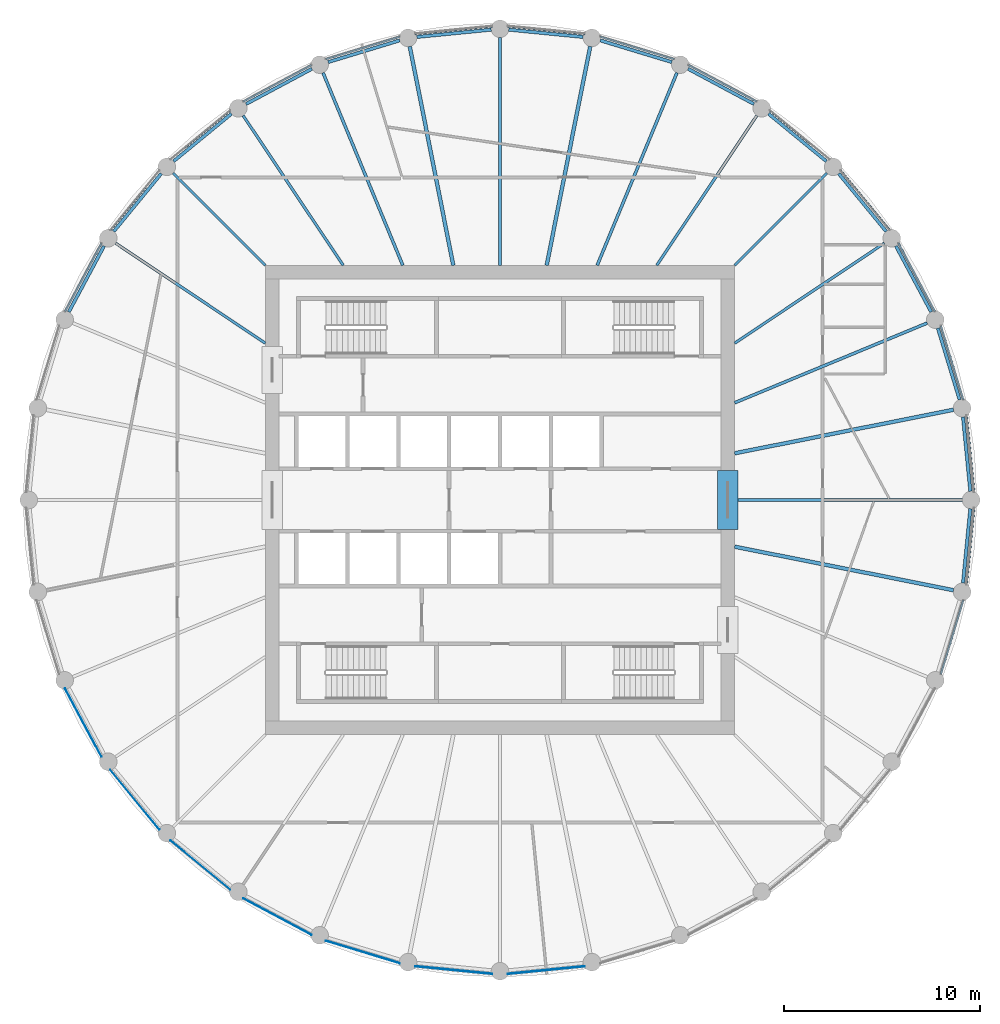
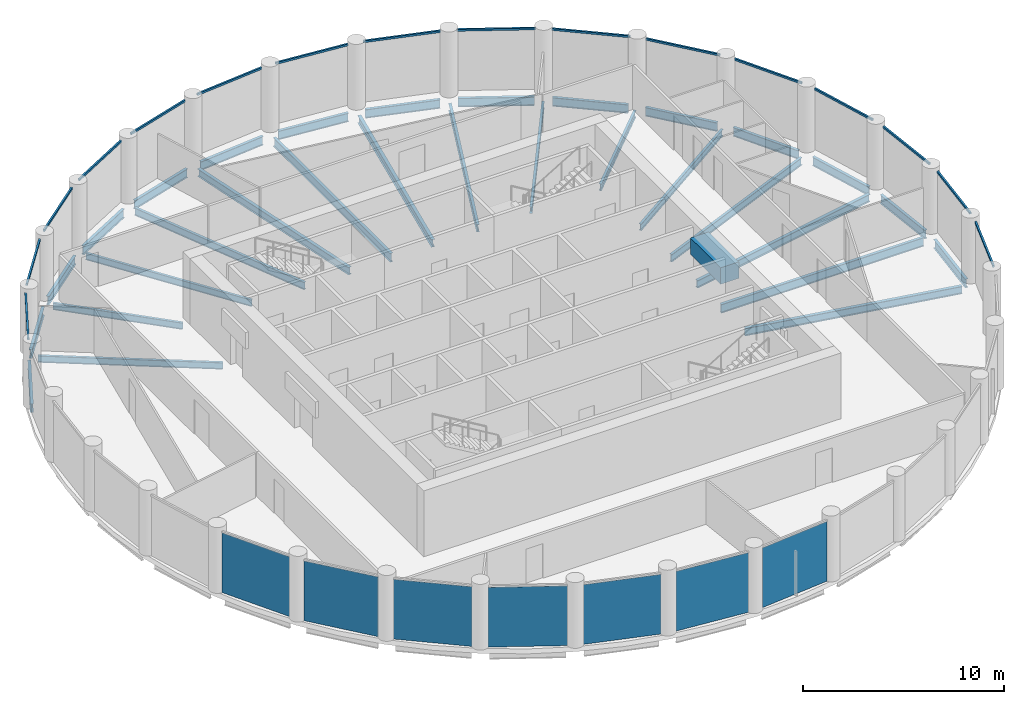
# One storey, part 2 of 7: 31 beams, 16 members, 7 plates, 23 elements without a shape of their own.
"""IFC4 building model written with IfcOpenShell, lengths in metres."""

from ifc_helpers import new_model, si_unit, direction, frame, origin, origin_2d, place, context, subcontext, project, spatial, rectangle, i_section, extrude, material, layer, layer_set, material_profile, profile_set, type_object, element, aggregate, save


model = new_model("IFC4")

# Units and contexts
model_context = context("Model", 3, precision=1e-05, world=origin(), true_north=direction((0.0, 1.0)))
body_context = subcontext(model_context, "Body", "Model", "MODEL_VIEW")
ifc_project = project(units=[si_unit("LENGTHUNIT", "METRE"), si_unit("AREAUNIT", "SQUARE_METRE"), si_unit("VOLUMEUNIT", "CUBIC_METRE"), si_unit("PLANEANGLEUNIT", "RADIAN"), si_unit("MASSUNIT", "GRAM", prefix="KILO")], contexts=[model_context])

# Site, building, storey
site_placement = place(None, origin())
site = spatial("IfcSite", under=ifc_project, at=site_placement, CompositionType="ELEMENT")
building_placement = place(site_placement, origin())
building = spatial("IfcBuilding", under=site, at=building_placement, Name="Corvane Civic Tower", CompositionType="ELEMENT")
storey_placement = place(building_placement, frame((0.0, 0.0, 287.0)))
storey = spatial("IfcBuildingStorey", under=building, at=storey_placement, Name="L68", CompositionType="ELEMENT", Elevation=287.0)

# Beams
ifc_material_1 = material(Name="Concrete C40/50", Category="concrete")
ifc_material_profile_1 = material_profile(ifc_material_1, rectangle(XDim=1.050048828125, YDim=1.0, at=origin_2d()), Name="COUPLING BEAM 1050X1000")
ifc_profile_set_1 = profile_set([ifc_material_profile_1], Name="Concrete C40/50")
beam_type_1 = type_object("IfcBeamType", Name="COUPLING BEAM COUPLING BEAM 1050X1000", PredefinedType="BEAM", material=ifc_profile_set_1)
beam_1_placement = place(storey_placement, frame((11.64990234375, -1.5, 2.60009765625), z_axis=(0.0, 1.0, 0.0), x_axis=(-1.0, 0.0, 0.0)))
element("IfcBeam", 1, at=beam_1_placement, inside=storey, type_object=beam_type_1, Name="BM-L68-cpl-CW-LE", PredefinedType="BEAM", context=body_context, shape_type="SweptSolid", body=[
    extrude(rectangle(XDim=1.050048828125, YDim=1.0, at=origin_2d()), origin(), (0.0, 0.0, 1.0), 3.0),
])
ifc_material_2 = material(Name="Steel ASTM A992 Gr 50", Category="steel")
ifc_material_profile_2 = material_profile(ifc_material_2, i_section(OverallWidth=0.165771484375, OverallDepth=0.5283203125, WebThickness=0.009765625, FlangeThickness=0.013671875, at=origin_2d()), Name="W21X50")
ifc_profile_set_2 = profile_set([ifc_material_profile_2], Name="Steel ASTM A992 Gr 50")
beam_type_2 = type_object("IfcBeamType", Name="EDGE BEAM W21X50", PredefinedType="BEAM", material=ifc_profile_set_2)
for number, where, z_axis, x_axis, name in (
    (2, (0.44775390625, 24.055908203125, -0.564208984375), (0.995187721162, -0.097986732007, 0.0), (0.097986732007, 0.995187721162, 0.0), "BM-L68-E01"),
    (3, (5.13232421875, 23.50634765625, -0.564208984375), (0.95692555902, -0.290333385085, 0.0), (0.290333385085, 0.95692555902, 0.0), "BM-L68-E02"),
):
    element("IfcBeam", number, at=place(storey_placement, frame(where, z_axis=z_axis, x_axis=x_axis)), inside=storey, type_object=beam_type_2, Name=name, PredefinedType="BEAM", context=body_context, shape_type="SweptSolid", body=[
        extrude(i_section(OverallWidth=0.165771484375, OverallDepth=0.5283203125, WebThickness=0.009765625, FlangeThickness=0.013671875, at=origin_2d()), origin(), (0.0, 0.0, 1.0), 3.824462890625),
    ])
beam_2_placement = place(storey_placement, frame((9.61962890625, 22.05322265625, -0.564208984375), z_axis=(0.881914279413, -0.471409804487, 0.0), x_axis=(0.471409804487, 0.881914279413, 0.0)))
element("IfcBeam", 4, at=beam_2_placement, inside=storey, type_object=beam_type_2, Name="BM-L68-E03", PredefinedType="BEAM", context=body_context, shape_type="SweptSolid", body=[
    extrude(i_section(OverallWidth=0.165771484375, OverallDepth=0.5283203125, WebThickness=0.009765625, FlangeThickness=0.013671875, at=origin_2d()), origin(), (0.0, 0.0, 1.0), 3.82421875),
])
for number, where, z_axis, x_axis, name in (
    (5, (13.737060546875, 19.7529296875, -0.564208984375), (0.772997914867, -0.634408562057, 0.0), (0.634408562057, 0.772997914867, 0.0), "BM-L68-E04"),
    (6, (17.32666015625, 16.693359375, -0.564208984375), (0.634408562057, -0.772997914867, 0.0), (0.772997914867, 0.634408562057, 0.0), "BM-L68-E05"),
):
    element("IfcBeam", number, at=place(storey_placement, frame(where, z_axis=z_axis, x_axis=x_axis)), inside=storey, type_object=beam_type_2, Name=name, PredefinedType="BEAM", context=body_context, shape_type="SweptSolid", body=[
        extrude(i_section(OverallWidth=0.165771484375, OverallDepth=0.5283203125, WebThickness=0.009765625, FlangeThickness=0.013671875, at=origin_2d()), origin(), (0.0, 0.0, 1.0), 3.824462890625),
    ])
beam_3_placement = place(storey_placement, frame((20.25048828125, 12.9921875, -0.564208984375), z_axis=(0.471409804487, -0.881914279413, 0.0), x_axis=(0.881914279413, 0.471409804487, 0.0)))
element("IfcBeam", 7, at=beam_3_placement, inside=storey, type_object=beam_type_2, Name="BM-L68-E06", PredefinedType="BEAM", context=body_context, shape_type="SweptSolid", body=[
    extrude(i_section(OverallWidth=0.165771484375, OverallDepth=0.5283203125, WebThickness=0.009765625, FlangeThickness=0.013671875, at=origin_2d()), origin(), (0.0, 0.0, 1.0), 3.82421875),
])
for number, where, z_axis, x_axis, name in (
    (8, (22.39599609375, 8.7919921875, -0.564208984375), (0.290333385085, -0.95692555902, 0.0), (0.95692555902, 0.290333385085, 0.0), "BM-L68-E07"),
    (9, (23.68115234375, 4.25390625, -0.564208984375), (0.097986732007, -0.995187721162, 0.0), (0.995187721162, 0.097986732007, 0.0), "BM-L68-E08"),
    (10, (24.055908203125, -0.44775390625, -0.564208984375), (-0.097986732007, -0.995187721162, 0.0), (0.995187721162, -0.097986732007, 0.0), "BM-L68-E09"),
):
    element("IfcBeam", number, at=place(storey_placement, frame(where, z_axis=z_axis, x_axis=x_axis)), inside=storey, type_object=beam_type_2, Name=name, PredefinedType="BEAM", context=body_context, shape_type="SweptSolid", body=[
        extrude(i_section(OverallWidth=0.165771484375, OverallDepth=0.5283203125, WebThickness=0.009765625, FlangeThickness=0.013671875, at=origin_2d()), origin(), (0.0, 0.0, 1.0), 3.824462890625),
    ])
beam_4_placement = place(storey_placement, frame((-22.05322265625, 9.61962890625, -0.564208984375), z_axis=(0.471409804487, 0.881914279413, 0.0), x_axis=(-0.881914279413, 0.471409804487, 0.0)))
element("IfcBeam", 11, at=beam_4_placement, inside=storey, type_object=beam_type_2, Name="BM-L68-E27", PredefinedType="BEAM", context=body_context, shape_type="SweptSolid", body=[
    extrude(i_section(OverallWidth=0.165771484375, OverallDepth=0.5283203125, WebThickness=0.009765625, FlangeThickness=0.013671875, at=origin_2d()), origin(), (0.0, 0.0, 1.0), 3.82421875),
])
for number, where, z_axis, x_axis, name in (
    (12, (-19.7529296875, 13.737060546875, -0.564208984375), (0.634408562057, 0.772997914867, 0.0), (-0.772997914867, 0.634408562057, 0.0), "BM-L68-E28"),
    (13, (-16.693359375, 17.32666015625, -0.564208984375), (0.772997914867, 0.634408562057, 0.0), (-0.634408562057, 0.772997914867, 0.0), "BM-L68-E29"),
):
    element("IfcBeam", number, at=place(storey_placement, frame(where, z_axis=z_axis, x_axis=x_axis)), inside=storey, type_object=beam_type_2, Name=name, PredefinedType="BEAM", context=body_context, shape_type="SweptSolid", body=[
        extrude(i_section(OverallWidth=0.165771484375, OverallDepth=0.5283203125, WebThickness=0.009765625, FlangeThickness=0.013671875, at=origin_2d()), origin(), (0.0, 0.0, 1.0), 3.824462890625),
    ])
beam_5_placement = place(storey_placement, frame((-12.9921875, 20.25048828125, -0.564208984375), z_axis=(0.881914279413, 0.471409804487, 0.0), x_axis=(-0.471409804487, 0.881914279413, 0.0)))
element("IfcBeam", 14, at=beam_5_placement, inside=storey, type_object=beam_type_2, Name="BM-L68-E30", PredefinedType="BEAM", context=body_context, shape_type="SweptSolid", body=[
    extrude(i_section(OverallWidth=0.165771484375, OverallDepth=0.5283203125, WebThickness=0.009765625, FlangeThickness=0.013671875, at=origin_2d()), origin(), (0.0, 0.0, 1.0), 3.82421875),
])
for number, where, z_axis, x_axis, name in (
    (15, (-8.7919921875, 22.39599609375, -0.564208984375), (0.95692555902, 0.290333385085, 0.0), (-0.290333385085, 0.95692555902, 0.0), "BM-L68-E31"),
    (16, (-4.25390625, 23.68115234375, -0.564208984375), (0.995187721162, 0.097986732007, 0.0), (-0.097986732007, 0.995187721162, 0.0), "BM-L68-E32"),
):
    element("IfcBeam", number, at=place(storey_placement, frame(where, z_axis=z_axis, x_axis=x_axis)), inside=storey, type_object=beam_type_2, Name=name, PredefinedType="BEAM", context=body_context, shape_type="SweptSolid", body=[
        extrude(i_section(OverallWidth=0.165771484375, OverallDepth=0.5283203125, WebThickness=0.009765625, FlangeThickness=0.013671875, at=origin_2d()), origin(), (0.0, 0.0, 1.0), 3.824462890625),
    ])
ifc_material_3 = material(Name="Steel ASTM A992 Gr 50", Category="steel")
ifc_material_profile_3 = material_profile(ifc_material_3, i_section(OverallWidth=0.140380859375, OverallDepth=0.40380859375, WebThickness=0.007080078125, FlangeThickness=0.01123046875, at=origin_2d()), Name="W16X31")
ifc_profile_set_3 = profile_set([ifc_material_profile_3], Name="Steel ASTM A992 Gr 50")
beam_type_3 = type_object("IfcBeamType", Name="FLOOR GIRDER W16X31", PredefinedType="BEAM", material=ifc_profile_set_3)
beam_6_placement = place(storey_placement, frame((8.01806640625, 12.0, -0.501953125), z_axis=(0.555567816355, 0.831471227061, 0.0), x_axis=(-0.831471227061, 0.555567816355, 0.0)))
element("IfcBeam", 17, at=beam_6_placement, inside=storey, type_object=beam_type_3, Name="BM-L68-G04", PredefinedType="BEAM", context=body_context, shape_type="SweptSolid", body=[
    extrude(i_section(OverallWidth=0.140380859375, OverallDepth=0.40380859375, WebThickness=0.007080078125, FlangeThickness=0.01123046875, at=origin_2d()), origin(), (0.0, 0.0, 1.0), 9.2177734375),
])
beam_7_placement = place(storey_placement, frame((12.0, 12.0, -0.501953125), z_axis=(0.707106781187, 0.707106781187, 0.0), x_axis=(-0.707106781187, 0.707106781187, 0.0)))
element("IfcBeam", 18, at=beam_7_placement, inside=storey, type_object=beam_type_3, Name="BM-L68-G05", PredefinedType="BEAM", context=body_context, shape_type="SweptSolid", body=[
    extrude(i_section(OverallWidth=0.140380859375, OverallDepth=0.40380859375, WebThickness=0.007080078125, FlangeThickness=0.01123046875, at=origin_2d()), origin(), (0.0, 0.0, 1.0), 6.679443359375),
])
for number, where, z_axis, x_axis, name in (
    (19, (12.0, 8.01806640625, -0.501953125), (0.831471227061, 0.555567816355, 0.0), (-0.555567816355, 0.831471227061, 0.0), "BM-L68-G06"),
    (20, (-12.0, 8.01806640625, -0.501953125), (-0.831471227061, 0.555567816355, 0.0), (-0.555567816355, -0.831471227061, 0.0), "BM-L68-G28"),
):
    element("IfcBeam", number, at=place(storey_placement, frame(where, z_axis=z_axis, x_axis=x_axis)), inside=storey, type_object=beam_type_3, Name=name, PredefinedType="BEAM", context=body_context, shape_type="SweptSolid", body=[
        extrude(i_section(OverallWidth=0.140380859375, OverallDepth=0.40380859375, WebThickness=0.007080078125, FlangeThickness=0.01123046875, at=origin_2d()), origin(), (0.0, 0.0, 1.0), 9.2177734375),
    ])
beam_8_placement = place(storey_placement, frame((-12.0, 12.0, -0.501953125), z_axis=(-0.707106781187, 0.707106781187, 0.0), x_axis=(-0.707106781187, -0.707106781187, 0.0)))
element("IfcBeam", 21, at=beam_8_placement, inside=storey, type_object=beam_type_3, Name="BM-L68-G29", PredefinedType="BEAM", context=body_context, shape_type="SweptSolid", body=[
    extrude(i_section(OverallWidth=0.140380859375, OverallDepth=0.40380859375, WebThickness=0.007080078125, FlangeThickness=0.01123046875, at=origin_2d()), origin(), (0.0, 0.0, 1.0), 6.679443359375),
])
beam_9_placement = place(storey_placement, frame((-8.01806640625, 12.0, -0.501953125), z_axis=(-0.555567816355, 0.831471227061, 0.0), x_axis=(-0.831471227061, -0.555567816355, 0.0)))
element("IfcBeam", 22, at=beam_9_placement, inside=storey, type_object=beam_type_3, Name="BM-L68-G30", PredefinedType="BEAM", context=body_context, shape_type="SweptSolid", body=[
    extrude(i_section(OverallWidth=0.140380859375, OverallDepth=0.40380859375, WebThickness=0.007080078125, FlangeThickness=0.01123046875, at=origin_2d()), origin(), (0.0, 0.0, 1.0), 9.2177734375),
])
ifc_material_4 = material(Name="Steel ASTM A992 Gr 50", Category="steel")
ifc_material_profile_4 = material_profile(ifc_material_4, i_section(OverallWidth=0.15283203125, OverallDepth=0.45458984375, WebThickness=0.008056640625, FlangeThickness=0.013427734375, at=origin_2d()), Name="W18X40")
ifc_profile_set_4 = profile_set([ifc_material_profile_4], Name="Steel ASTM A992 Gr 50")
beam_type_4 = type_object("IfcBeamType", Name="FLOOR GIRDER W18X40", PredefinedType="BEAM", material=ifc_profile_set_4)
for number, where, z_axis, x_axis, name in (
    (23, (4.970458984375, 12.0, -0.52734375), (0.382694257331, 0.923875048589, 0.0), (-0.923875048589, 0.382694257331, 0.0), "BM-L68-G03"),
    (24, (12.0, 4.970458984375, -0.52734375), (0.923875048589, 0.382694257331, 0.0), (-0.382694257331, 0.923875048589, 0.0), "BM-L68-G07"),
    (25, (-4.970458984375, 12.0, -0.52734375), (-0.382694257331, 0.923875048589, 0.0), (-0.923875048589, -0.382694257331, 0.0), "BM-L68-G31"),
):
    element("IfcBeam", number, at=place(storey_placement, frame(where, z_axis=z_axis, x_axis=x_axis)), inside=storey, type_object=beam_type_4, Name=name, PredefinedType="BEAM", context=body_context, shape_type="SweptSolid", body=[
        extrude(i_section(OverallWidth=0.15283203125, OverallDepth=0.45458984375, WebThickness=0.008056640625, FlangeThickness=0.013427734375, at=origin_2d()), origin(), (0.0, 0.0, 1.0), 10.661376953125),
    ])
ifc_material_5 = material(Name="Steel ASTM A992 Gr 50", Category="steel")
ifc_material_profile_5 = material_profile(ifc_material_5, i_section(OverallWidth=0.1904296875, OverallDepth=0.457275390625, WebThickness=0.009033203125, FlangeThickness=0.014404296875, at=origin_2d()), Name="W18X50")
ifc_profile_set_5 = profile_set([ifc_material_profile_5], Name="Steel ASTM A992 Gr 50")
beam_type_5 = type_object("IfcBeamType", Name="FLOOR GIRDER W18X50", PredefinedType="BEAM", material=ifc_profile_set_5)
for number, where, z_axis, x_axis, name in (
    (26, (2.386962890625, 12.0, -0.528564453125), (0.195079532402, 0.980787426529, 0.0), (-0.980787426529, 0.195079532402, 0.0), "BM-L68-G02"),
    (27, (12.0, 2.386962890625, -0.528564453125), (0.980787426529, 0.195079532402, 0.0), (-0.195079532402, 0.980787426529, 0.0), "BM-L68-G08"),
    (28, (12.0, -2.386962890625, -0.528564453125), (0.980787426529, -0.195079532402, 0.0), (0.195079532402, 0.980787426529, 0.0), "BM-L68-G10"),
    (29, (-2.386962890625, 12.0, -0.528564453125), (-0.195079532402, 0.980787426529, 0.0), (-0.980787426529, -0.195079532402, 0.0), "BM-L68-G32"),
):
    element("IfcBeam", number, at=place(storey_placement, frame(where, z_axis=z_axis, x_axis=x_axis)), inside=storey, type_object=beam_type_5, Name=name, PredefinedType="BEAM", context=body_context, shape_type="SweptSolid", body=[
        extrude(i_section(OverallWidth=0.1904296875, OverallDepth=0.457275390625, WebThickness=0.009033203125, FlangeThickness=0.014404296875, at=origin_2d()), origin(), (0.0, 0.0, 1.0), 11.414794921875),
    ])
ifc_material_6 = material(Name="Steel ASTM A992 Gr 50", Category="steel")
ifc_material_profile_6 = material_profile(ifc_material_6, i_section(OverallWidth=0.165771484375, OverallDepth=0.5283203125, WebThickness=0.009765625, FlangeThickness=0.013671875, at=origin_2d()), Name="W21X50")
ifc_profile_set_6 = profile_set([ifc_material_profile_6], Name="Steel ASTM A992 Gr 50")
beam_type_6 = type_object("IfcBeamType", Name="FLOOR GIRDER W21X50", PredefinedType="BEAM", material=ifc_profile_set_6)
for number, where, z_axis, x_axis, name in (
    (30, (0.0, 12.0, -0.564208984375), (0.0, 1.0, 0.0), (-1.0, 0.0, 0.0), "BM-L68-G01"),
    (31, (12.0, 0.0, -0.564208984375), (1.0, 0.0, 0.0), (0.0, 1.0, 0.0), "BM-L68-G09"),
):
    element("IfcBeam", number, at=place(storey_placement, frame(where, z_axis=z_axis, x_axis=x_axis)), inside=storey, type_object=beam_type_6, Name=name, PredefinedType="BEAM", context=body_context, shape_type="SweptSolid", body=[
        extrude(i_section(OverallWidth=0.165771484375, OverallDepth=0.5283203125, WebThickness=0.009765625, FlangeThickness=0.013671875, at=origin_2d()), origin(), (0.0, 0.0, 1.0), 11.64990234375),
    ])

# Curtain wall, member
ifc_material_7 = material(Name="Anodised aluminium bronze", Category="aluminium")
curtain_wall_type = type_object("IfcCurtainWallType", Name="TOWER CW-T3 STICK CURTAIN WALL", PredefinedType="NOTDEFINED", material=ifc_material_7)
curtain_wall_1_placement = place(storey_placement, origin())
curtain_wall_1 = element("IfcCurtainWall", 32, at=curtain_wall_1_placement, inside=storey, type_object=curtain_wall_type, Name="Curtain wall CW-T3 L68 bay 01", PredefinedType="NOTDEFINED")
ifc_material_8 = material(Name="Anodised aluminium bronze", Category="aluminium")
ifc_material_profile_7 = material_profile(ifc_material_8, rectangle(XDim=0.10009765625, YDim=0.1201171875, at=origin_2d()), Name="TOWER CW-T3 TRANSOM 100x120")
ifc_profile_set_7 = profile_set([ifc_material_profile_7], Name="Anodised aluminium bronze")
member_type = type_object("IfcMemberType", Name="TOWER CW-T3 TRANSOM 100x120", PredefinedType="USERDEFINED", material=ifc_profile_set_7)
member_1_placement = place(storey_placement, frame((0.3984375, 24.24072265625, 3.68994140625), z_axis=(0.995186866683, -0.097995409999, 0.0), x_axis=(0.097995409999, 0.995186866683, 0.0)))
member_1 = element("IfcMember", 33, at=member_1_placement, type_object=member_type, Name="Transom CW-T3 L68 01.1", ObjectType="TRANSOM", PredefinedType="USERDEFINED", context=body_context, shape_type="SweptSolid", body=[
    extrude(rectangle(XDim=0.10009765625, YDim=0.1201171875, at=origin_2d()), origin(), (0.0, 0.0, 1.0), 3.958740234375),
])
aggregate(curtain_wall_1, [member_1])

curtain_wall_2_placement = place(storey_placement, origin())
curtain_wall_2 = element("IfcCurtainWall", 34, at=curtain_wall_2_placement, inside=storey, type_object=curtain_wall_type, Name="Curtain wall CW-T3 L68 bay 02", PredefinedType="NOTDEFINED")
member_2_placement = place(storey_placement, frame((5.119873046875, 23.697265625, 3.68994140625), z_axis=(0.956946054205, -0.290265825309, 0.0), x_axis=(0.290265825309, 0.956946054205, 0.0)))
member_2 = element("IfcMember", 35, at=member_2_placement, type_object=member_type, Name="Transom CW-T3 L68 02.1", ObjectType="TRANSOM", PredefinedType="USERDEFINED", context=body_context, shape_type="SweptSolid", body=[
    extrude(rectangle(XDim=0.10009765625, YDim=0.1201171875, at=origin_2d()), origin(), (0.0, 0.0, 1.0), 3.958984375),
])
aggregate(curtain_wall_2, [member_2])

curtain_wall_3_placement = place(storey_placement, origin())
curtain_wall_3 = element("IfcCurtainWall", 36, at=curtain_wall_3_placement, inside=storey, type_object=curtain_wall_type, Name="Curtain wall CW-T3 L68 bay 03", PredefinedType="NOTDEFINED")
member_3_placement = place(storey_placement, frame((9.644775390625, 22.2431640625, 3.68994140625), z_axis=(0.881883040816, -0.471468241052, 0.0), x_axis=(0.471468241052, 0.881883040816, 0.0)))
member_3 = element("IfcMember", 37, at=member_3_placement, type_object=member_type, Name="Transom CW-T3 L68 03.1", ObjectType="TRANSOM", PredefinedType="USERDEFINED", context=body_context, shape_type="SweptSolid", body=[
    extrude(rectangle(XDim=0.10009765625, YDim=0.1201171875, at=origin_2d()), origin(), (0.0, 0.0, 1.0), 3.958740234375),
])
aggregate(curtain_wall_3, [member_3])

curtain_wall_4_placement = place(storey_placement, origin())
curtain_wall_4 = element("IfcCurtainWall", 38, at=curtain_wall_4_placement, inside=storey, type_object=curtain_wall_type, Name="Curtain wall CW-T3 L68 bay 04", PredefinedType="NOTDEFINED")
member_4_placement = place(storey_placement, frame((13.798828125, 19.93408203125, 3.68994140625), z_axis=(0.772991943051, -0.634415838373, 0.0), x_axis=(0.634415838373, 0.772991943051, 0.0)))
member_4 = element("IfcMember", 39, at=member_4_placement, type_object=member_type, Name="Transom CW-T3 L68 04.1", ObjectType="TRANSOM", PredefinedType="USERDEFINED", context=body_context, shape_type="SweptSolid", body=[
    extrude(rectangle(XDim=0.10009765625, YDim=0.1201171875, at=origin_2d()), origin(), (0.0, 0.0, 1.0), 3.958740234375),
])
aggregate(curtain_wall_4, [member_4])

curtain_wall_5_placement = place(storey_placement, origin())
curtain_wall_5 = element("IfcCurtainWall", 40, at=curtain_wall_5_placement, inside=storey, type_object=curtain_wall_type, Name="Curtain wall CW-T3 L68 bay 05", PredefinedType="NOTDEFINED")
member_5_placement = place(storey_placement, frame((17.422607421875, 16.85888671875, 3.68994140625), z_axis=(0.634415838373, -0.772991943051, 0.0), x_axis=(0.772991943051, 0.634415838373, 0.0)))
member_5 = element("IfcMember", 41, at=member_5_placement, type_object=member_type, Name="Transom CW-T3 L68 05.1", ObjectType="TRANSOM", PredefinedType="USERDEFINED", context=body_context, shape_type="SweptSolid", body=[
    extrude(rectangle(XDim=0.10009765625, YDim=0.1201171875, at=origin_2d()), origin(), (0.0, 0.0, 1.0), 3.958740234375),
])
aggregate(curtain_wall_5, [member_5])

curtain_wall_6_placement = place(storey_placement, origin())
curtain_wall_6 = element("IfcCurtainWall", 42, at=curtain_wall_6_placement, inside=storey, type_object=curtain_wall_type, Name="Curtain wall CW-T3 L68 bay 06", PredefinedType="NOTDEFINED")
member_6_placement = place(storey_placement, frame((20.376708984375, 13.135986328125, 3.68994140625), z_axis=(0.471468241052, -0.881883040816, 0.0), x_axis=(0.881883040816, 0.471468241052, 0.0)))
member_6 = element("IfcMember", 43, at=member_6_placement, type_object=member_type, Name="Transom CW-T3 L68 06.1", ObjectType="TRANSOM", PredefinedType="USERDEFINED", context=body_context, shape_type="SweptSolid", body=[
    extrude(rectangle(XDim=0.10009765625, YDim=0.1201171875, at=origin_2d()), origin(), (0.0, 0.0, 1.0), 3.958740234375),
])
aggregate(curtain_wall_6, [member_6])

curtain_wall_7_placement = place(storey_placement, origin())
curtain_wall_7 = element("IfcCurtainWall", 44, at=curtain_wall_7_placement, inside=storey, type_object=curtain_wall_type, Name="Curtain wall CW-T3 L68 bay 07", PredefinedType="NOTDEFINED")
member_7_placement = place(storey_placement, frame((22.548095703125, 8.908447265625, 3.68994140625), z_axis=(0.290265825309, -0.956946054205, 0.0), x_axis=(0.956946054205, 0.290265825309, 0.0)))
member_7 = element("IfcMember", 45, at=member_7_placement, type_object=member_type, Name="Transom CW-T3 L68 07.1", ObjectType="TRANSOM", PredefinedType="USERDEFINED", context=body_context, shape_type="SweptSolid", body=[
    extrude(rectangle(XDim=0.10009765625, YDim=0.1201171875, at=origin_2d()), origin(), (0.0, 0.0, 1.0), 3.958984375),
])
aggregate(curtain_wall_7, [member_7])

curtain_wall_8_placement = place(storey_placement, origin())
curtain_wall_8 = element("IfcCurtainWall", 46, at=curtain_wall_8_placement, inside=storey, type_object=curtain_wall_type, Name="Curtain wall CW-T3 L68 bay 08", PredefinedType="NOTDEFINED")
member_8_placement = place(storey_placement, frame((23.852783203125, 4.338134765625, 3.68994140625), z_axis=(0.097995409999, -0.995186866683, 0.0), x_axis=(0.995186866683, 0.097995409999, 0.0)))
member_8 = element("IfcMember", 47, at=member_8_placement, type_object=member_type, Name="Transom CW-T3 L68 08.1", ObjectType="TRANSOM", PredefinedType="USERDEFINED", context=body_context, shape_type="SweptSolid", body=[
    extrude(rectangle(XDim=0.10009765625, YDim=0.1201171875, at=origin_2d()), origin(), (0.0, 0.0, 1.0), 3.958740234375),
])
aggregate(curtain_wall_8, [member_8])

curtain_wall_9_placement = place(storey_placement, origin())
curtain_wall_9 = element("IfcCurtainWall", 48, at=curtain_wall_9_placement, inside=storey, type_object=curtain_wall_type, Name="Curtain wall CW-T3 L68 bay 09", PredefinedType="NOTDEFINED")
member_9_placement = place(storey_placement, frame((24.24072265625, -0.3984375, 3.68994140625), z_axis=(-0.097995409999, -0.995186866683, 0.0), x_axis=(0.995186866683, -0.097995409999, 0.0)))
member_9 = element("IfcMember", 49, at=member_9_placement, type_object=member_type, Name="Transom CW-T3 L68 09.1", ObjectType="TRANSOM", PredefinedType="USERDEFINED", context=body_context, shape_type="SweptSolid", body=[
    extrude(rectangle(XDim=0.10009765625, YDim=0.1201171875, at=origin_2d()), origin(), (0.0, 0.0, 1.0), 3.958740234375),
])
aggregate(curtain_wall_9, [member_9])

curtain_wall_10_placement = place(storey_placement, origin())
curtain_wall_10 = element("IfcCurtainWall", 50, at=curtain_wall_10_placement, inside=storey, type_object=curtain_wall_type, Name="Curtain wall CW-T3 L68 bay 10", PredefinedType="NOTDEFINED")
member_10_placement = place(storey_placement, frame((23.697265625, -5.119873046875, 3.68994140625), z_axis=(-0.290265825309, -0.956946054205, 0.0), x_axis=(0.956946054205, -0.290265825309, 0.0)))
member_10 = element("IfcMember", 51, at=member_10_placement, type_object=member_type, Name="Transom CW-T3 L68 10.1", ObjectType="TRANSOM", PredefinedType="USERDEFINED", context=body_context, shape_type="SweptSolid", body=[
    extrude(rectangle(XDim=0.10009765625, YDim=0.1201171875, at=origin_2d()), origin(), (0.0, 0.0, 1.0), 3.958984375),
])
aggregate(curtain_wall_10, [member_10])

curtain_wall_11_placement = place(storey_placement, origin())
curtain_wall_11 = element("IfcCurtainWall", 52, at=curtain_wall_11_placement, inside=storey, type_object=curtain_wall_type, Name="Curtain wall CW-T3 L68 bay 27", PredefinedType="NOTDEFINED")
member_11_placement = place(storey_placement, frame((-22.2431640625, 9.644775390625, 3.68994140625), z_axis=(0.471468241052, 0.881883040816, 0.0), x_axis=(-0.881883040816, 0.471468241052, 0.0)))
member_11 = element("IfcMember", 53, at=member_11_placement, type_object=member_type, Name="Transom CW-T3 L68 27.1", ObjectType="TRANSOM", PredefinedType="USERDEFINED", context=body_context, shape_type="SweptSolid", body=[
    extrude(rectangle(XDim=0.10009765625, YDim=0.1201171875, at=origin_2d()), origin(), (0.0, 0.0, 1.0), 3.958740234375),
])
aggregate(curtain_wall_11, [member_11])

curtain_wall_12_placement = place(storey_placement, origin())
curtain_wall_12 = element("IfcCurtainWall", 54, at=curtain_wall_12_placement, inside=storey, type_object=curtain_wall_type, Name="Curtain wall CW-T3 L68 bay 28", PredefinedType="NOTDEFINED")
member_12_placement = place(storey_placement, frame((-19.93408203125, 13.798828125, 3.68994140625), z_axis=(0.634415838373, 0.772991943051, 0.0), x_axis=(-0.772991943051, 0.634415838373, 0.0)))
member_12 = element("IfcMember", 55, at=member_12_placement, type_object=member_type, Name="Transom CW-T3 L68 28.1", ObjectType="TRANSOM", PredefinedType="USERDEFINED", context=body_context, shape_type="SweptSolid", body=[
    extrude(rectangle(XDim=0.10009765625, YDim=0.1201171875, at=origin_2d()), origin(), (0.0, 0.0, 1.0), 3.958740234375),
])
aggregate(curtain_wall_12, [member_12])

curtain_wall_13_placement = place(storey_placement, origin())
curtain_wall_13 = element("IfcCurtainWall", 56, at=curtain_wall_13_placement, inside=storey, type_object=curtain_wall_type, Name="Curtain wall CW-T3 L68 bay 29", PredefinedType="NOTDEFINED")
member_13_placement = place(storey_placement, frame((-16.85888671875, 17.422607421875, 3.68994140625), z_axis=(0.772991943051, 0.634415838373, 0.0), x_axis=(-0.634415838373, 0.772991943051, 0.0)))
member_13 = element("IfcMember", 57, at=member_13_placement, type_object=member_type, Name="Transom CW-T3 L68 29.1", ObjectType="TRANSOM", PredefinedType="USERDEFINED", context=body_context, shape_type="SweptSolid", body=[
    extrude(rectangle(XDim=0.10009765625, YDim=0.1201171875, at=origin_2d()), origin(), (0.0, 0.0, 1.0), 3.958740234375),
])
aggregate(curtain_wall_13, [member_13])

curtain_wall_14_placement = place(storey_placement, origin())
curtain_wall_14 = element("IfcCurtainWall", 58, at=curtain_wall_14_placement, inside=storey, type_object=curtain_wall_type, Name="Curtain wall CW-T3 L68 bay 30", PredefinedType="NOTDEFINED")
member_14_placement = place(storey_placement, frame((-13.135986328125, 20.376708984375, 3.68994140625), z_axis=(0.881883040816, 0.471468241052, 0.0), x_axis=(-0.471468241052, 0.881883040816, 0.0)))
member_14 = element("IfcMember", 59, at=member_14_placement, type_object=member_type, Name="Transom CW-T3 L68 30.1", ObjectType="TRANSOM", PredefinedType="USERDEFINED", context=body_context, shape_type="SweptSolid", body=[
    extrude(rectangle(XDim=0.10009765625, YDim=0.1201171875, at=origin_2d()), origin(), (0.0, 0.0, 1.0), 3.958740234375),
])
aggregate(curtain_wall_14, [member_14])

curtain_wall_15_placement = place(storey_placement, origin())
curtain_wall_15 = element("IfcCurtainWall", 60, at=curtain_wall_15_placement, inside=storey, type_object=curtain_wall_type, Name="Curtain wall CW-T3 L68 bay 31", PredefinedType="NOTDEFINED")
member_15_placement = place(storey_placement, frame((-8.908447265625, 22.548095703125, 3.68994140625), z_axis=(0.956946054205, 0.290265825309, 0.0), x_axis=(-0.290265825309, 0.956946054205, 0.0)))
member_15 = element("IfcMember", 61, at=member_15_placement, type_object=member_type, Name="Transom CW-T3 L68 31.1", ObjectType="TRANSOM", PredefinedType="USERDEFINED", context=body_context, shape_type="SweptSolid", body=[
    extrude(rectangle(XDim=0.10009765625, YDim=0.1201171875, at=origin_2d()), origin(), (0.0, 0.0, 1.0), 3.958984375),
])
aggregate(curtain_wall_15, [member_15])

curtain_wall_16_placement = place(storey_placement, origin())
curtain_wall_16 = element("IfcCurtainWall", 62, at=curtain_wall_16_placement, inside=storey, type_object=curtain_wall_type, Name="Curtain wall CW-T3 L68 bay 32", PredefinedType="NOTDEFINED")
member_16_placement = place(storey_placement, frame((-4.338134765625, 23.852783203125, 3.68994140625), z_axis=(0.995186866683, 0.097995409999, 0.0), x_axis=(-0.097995409999, 0.995186866683, 0.0)))
member_16 = element("IfcMember", 63, at=member_16_placement, type_object=member_type, Name="Transom CW-T3 L68 32.1", ObjectType="TRANSOM", PredefinedType="USERDEFINED", context=body_context, shape_type="SweptSolid", body=[
    extrude(rectangle(XDim=0.10009765625, YDim=0.1201171875, at=origin_2d()), origin(), (0.0, 0.0, 1.0), 3.958740234375),
])
aggregate(curtain_wall_16, [member_16])

# Curtain wall, plate
curtain_wall_17_placement = place(storey_placement, origin())
curtain_wall_17 = element("IfcCurtainWall", 64, at=curtain_wall_17_placement, inside=storey, type_object=curtain_wall_type, Name="Curtain wall CW-T3 L68 bay 16", PredefinedType="NOTDEFINED")
ifc_material_9 = material(Name="Tinted glass", Category="glass")
ifc_layer = layer(ifc_material_9, 0.028076171875)
ifc_layer_set = layer_set([ifc_layer], Name="Tinted glass")
plate_type = type_object("IfcPlateType", Name="TOWER CW-T3 PANEL IGU28", PredefinedType="CURTAIN_PANEL", material=ifc_layer_set)
plate_1_placement = place(storey_placement, frame((2.368408203125, -24.046875, 0.0), z_axis=(0.0, 0.0, 1.0), x_axis=(-0.99518437747, -0.098020685775, 0.0)))
plate_1 = element("IfcPlate", 65, at=plate_1_placement, type_object=plate_type, Name="Glass panel CW-T3 L68 16.1", PredefinedType="CURTAIN_PANEL", context=body_context, shape_type="SweptSolid", body=[
    extrude(rectangle(XDim=3.958740234375, YDim=0.028076171875, at=origin_2d()), origin(), (0.0, 0.0, 1.0), 3.6298828125),
])
aggregate(curtain_wall_17, [plate_1])

curtain_wall_18_placement = place(storey_placement, origin())
curtain_wall_18 = element("IfcCurtainWall", 66, at=curtain_wall_18_placement, inside=storey, type_object=curtain_wall_type, Name="Curtain wall CW-T3 L68 bay 17", PredefinedType="NOTDEFINED")
plate_2_placement = place(storey_placement, frame((-2.368408203125, -24.046875, 0.0), z_axis=(0.0, 0.0, 1.0), x_axis=(-0.99518437747, 0.098020685775, 0.0)))
plate_2 = element("IfcPlate", 67, at=plate_2_placement, type_object=plate_type, Name="Glass panel CW-T3 L68 17.1", PredefinedType="CURTAIN_PANEL", context=body_context, shape_type="SweptSolid", body=[
    extrude(rectangle(XDim=3.958740234375, YDim=0.028076171875, at=origin_2d()), origin(), (0.0, 0.0, 1.0), 3.6298828125),
])
aggregate(curtain_wall_18, [plate_2])

curtain_wall_19_placement = place(storey_placement, origin())
curtain_wall_19 = element("IfcCurtainWall", 68, at=curtain_wall_19_placement, inside=storey, type_object=curtain_wall_type, Name="Curtain wall CW-T3 L68 bay 18", PredefinedType="NOTDEFINED")
plate_3_placement = place(storey_placement, frame((-7.01416015625, -23.12255859375, 0.0), z_axis=(0.0, 0.0, 1.0), x_axis=(-0.956943694519, 0.290273604586, 0.0)))
plate_3 = element("IfcPlate", 69, at=plate_3_placement, type_object=plate_type, Name="Glass panel CW-T3 L68 18.1", PredefinedType="CURTAIN_PANEL", context=body_context, shape_type="SweptSolid", body=[
    extrude(rectangle(XDim=3.958984375, YDim=0.028076171875, at=origin_2d()), origin(), (0.0, 0.0, 1.0), 3.6298828125),
])
aggregate(curtain_wall_19, [plate_3])

curtain_wall_20_placement = place(storey_placement, origin())
curtain_wall_20 = element("IfcCurtainWall", 70, at=curtain_wall_20_placement, inside=storey, type_object=curtain_wall_type, Name="Curtain wall CW-T3 L68 bay 19", PredefinedType="NOTDEFINED")
plate_4_placement = place(storey_placement, frame((-11.390380859375, -21.31005859375, 0.0), z_axis=(0.0, 0.0, 1.0), x_axis=(-0.881908138655, 0.471421292448, 0.0)))
plate_4 = element("IfcPlate", 71, at=plate_4_placement, type_object=plate_type, Name="Glass panel CW-T3 L68 19.1", PredefinedType="CURTAIN_PANEL", context=body_context, shape_type="SweptSolid", body=[
    extrude(rectangle(XDim=3.958740234375, YDim=0.028076171875, at=origin_2d()), origin(), (0.0, 0.0, 1.0), 3.6298828125),
])
aggregate(curtain_wall_20, [plate_4])

curtain_wall_21_placement = place(storey_placement, origin())
curtain_wall_21 = element("IfcCurtainWall", 72, at=curtain_wall_21_placement, inside=storey, type_object=curtain_wall_type, Name="Curtain wall CW-T3 L68 bay 20", PredefinedType="NOTDEFINED")
plate_5_placement = place(storey_placement, frame((-15.328857421875, -18.67822265625, 0.0), z_axis=(0.0, 0.0, 1.0), x_axis=(-0.773001130565, 0.634404643855, 0.0)))
plate_5 = element("IfcPlate", 73, at=plate_5_placement, type_object=plate_type, Name="Glass panel CW-T3 L68 20.1", PredefinedType="CURTAIN_PANEL", context=body_context, shape_type="SweptSolid", body=[
    extrude(rectangle(XDim=3.958740234375, YDim=0.028076171875, at=origin_2d()), origin(), (0.0, 0.0, 1.0), 3.6298828125),
])
aggregate(curtain_wall_21, [plate_5])

curtain_wall_22_placement = place(storey_placement, origin())
curtain_wall_22 = element("IfcCurtainWall", 74, at=curtain_wall_22_placement, inside=storey, type_object=curtain_wall_type, Name="Curtain wall CW-T3 L68 bay 21", PredefinedType="NOTDEFINED")
plate_6_placement = place(storey_placement, frame((-18.67822265625, -15.328857421875, 0.0), z_axis=(0.0, 0.0, 1.0), x_axis=(-0.634404643855, 0.773001130565, 0.0)))
plate_6 = element("IfcPlate", 75, at=plate_6_placement, type_object=plate_type, Name="Glass panel CW-T3 L68 21.1", PredefinedType="CURTAIN_PANEL", context=body_context, shape_type="SweptSolid", body=[
    extrude(rectangle(XDim=3.958740234375, YDim=0.028076171875, at=origin_2d()), origin(), (0.0, 0.0, 1.0), 3.6298828125),
])
aggregate(curtain_wall_22, [plate_6])

curtain_wall_23_placement = place(storey_placement, origin())
curtain_wall_23 = element("IfcCurtainWall", 76, at=curtain_wall_23_placement, inside=storey, type_object=curtain_wall_type, Name="Curtain wall CW-T3 L68 bay 22", PredefinedType="NOTDEFINED")
plate_7_placement = place(storey_placement, frame((-21.31005859375, -11.390380859375, 0.0), z_axis=(0.0, 0.0, 1.0), x_axis=(-0.471421292448, 0.881908138655, 0.0)))
plate_7 = element("IfcPlate", 77, at=plate_7_placement, type_object=plate_type, Name="Glass panel CW-T3 L68 22.1", PredefinedType="CURTAIN_PANEL", context=body_context, shape_type="SweptSolid", body=[
    extrude(rectangle(XDim=3.958740234375, YDim=0.028076171875, at=origin_2d()), origin(), (0.0, 0.0, 1.0), 3.6298828125),
])
aggregate(curtain_wall_23, [plate_7])

save(model, "model.ifc")
